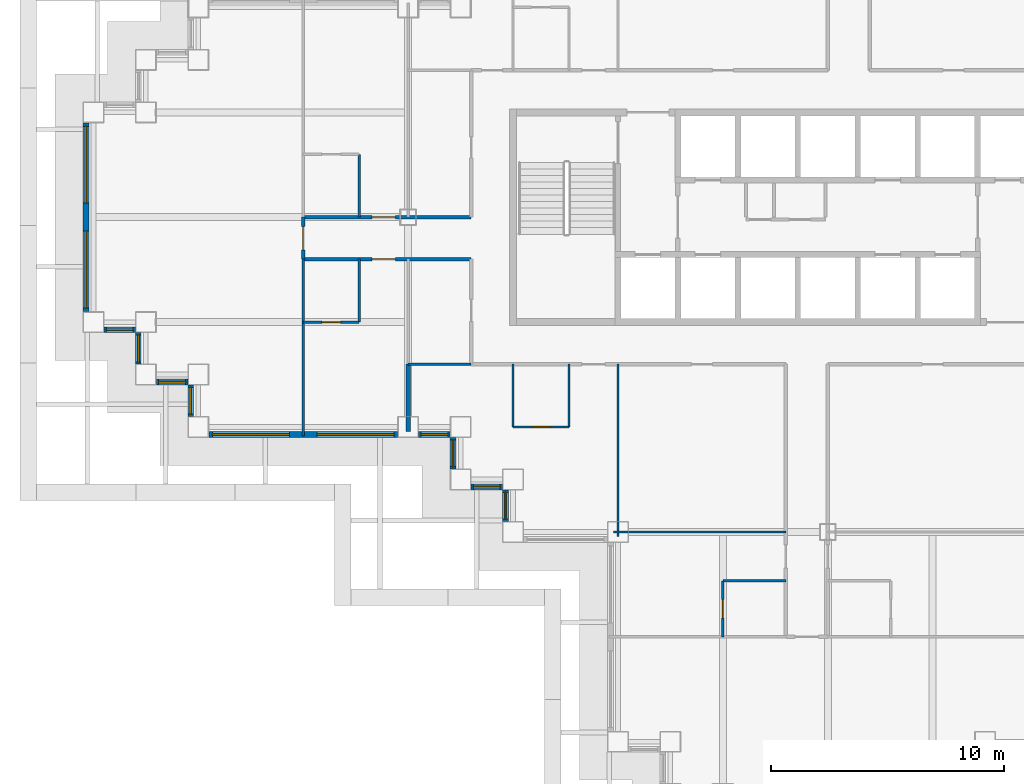
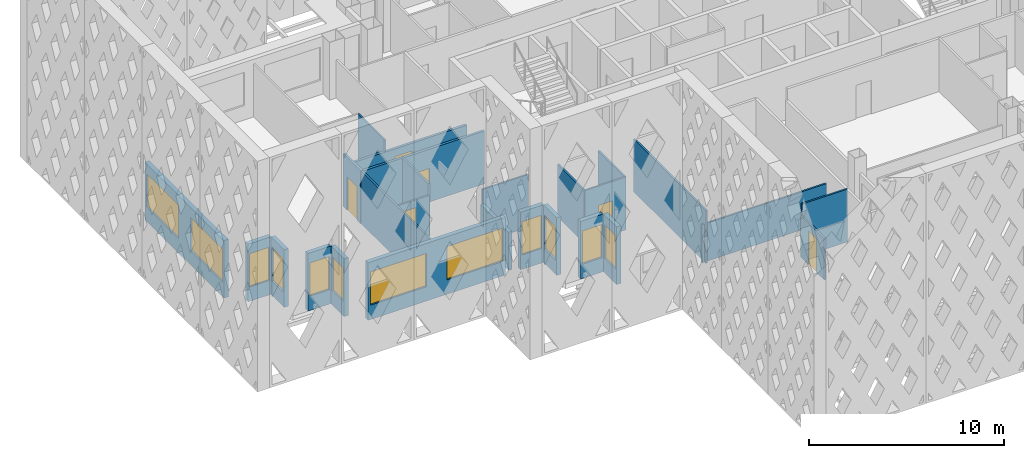
# One storey, part 3 of 21: 26 walls, 12 windows, 6 doors, 18 openings.
"""IFC4 building model written with IfcOpenShell, lengths in metres."""

from ifc_helpers import new_model, si_unit, direction, frame, frame_2d, origin, place, context, subcontext, project, spatial, rectangle, extrude, material, layer, layer_set, type_object, element, fill, save


model = new_model("IFC4")

# Units and contexts
model_context = context("Model", 3, precision=1e-05, world=origin(), true_north=direction((0.0, 1.0)))
body_context = subcontext(model_context, "Body", "Model", "MODEL_VIEW")
ifc_project = project(units=[si_unit("LENGTHUNIT", "METRE"), si_unit("AREAUNIT", "SQUARE_METRE"), si_unit("VOLUMEUNIT", "CUBIC_METRE"), si_unit("PLANEANGLEUNIT", "RADIAN"), si_unit("MASSUNIT", "GRAM", prefix="KILO")], contexts=[model_context])

# Site, building, storey
site_placement = place(None, origin())
site = spatial("IfcSite", under=ifc_project, at=site_placement, CompositionType="ELEMENT")
building_placement = place(site_placement, origin())
building = spatial("IfcBuilding", under=site, at=building_placement, Name="Caravel Reach Hotel and Residences", CompositionType="ELEMENT")
storey_placement = place(building_placement, frame((0.0, 0.0, 115.199951171875)))
storey = spatial("IfcBuildingStorey", under=building, at=storey_placement, Name="L28", CompositionType="ELEMENT", Elevation=115.199951171875)

# Wall
ifc_material_1 = material(Name="Gypsum board on steel stud", Category="steel")
ifc_layer_1 = layer(ifc_material_1, 0.10009765625)
ifc_layer_set_1 = layer_set([ifc_layer_1], Name="Bathroom pod wall 100 mm")
wall_type_1 = type_object("IfcWallType", Name="Bathroom pod wall 100 mm", PredefinedType="PARTITIONING", material=ifc_layer_set_1)
wall_1_placement = place(storey_placement, frame((27.0, 11.39990234375, 0.0), z_axis=(0.0, 0.0, 1.0), x_axis=(1.0, 0.0, 0.0)))
element("IfcWall", 1, at=wall_1_placement, inside=storey, type_object=wall_type_1, Name="L28 wall w068", PredefinedType="PARTITIONING", context=body_context, shape_type="SweptSolid", body=[
    extrude(rectangle(XDim=2.699951171875, YDim=0.10009765625, at=frame_2d((1.35009765625, 0.0))), origin(), (0.0, 0.0, 1.0), 3.300048828125),
])

# Wall, opening, door
wall_2_placement = place(storey_placement, frame((18.0, 18.0, 0.0), z_axis=(0.0, 0.0, 1.0), x_axis=(1.0, 0.0, 0.0)))
wall_2 = element("IfcWall", 2, at=wall_2_placement, inside=storey, type_object=wall_type_1, Name="L28 wall w069", PredefinedType="PARTITIONING", context=body_context, shape_type="SweptSolid", body=[
    extrude(rectangle(XDim=2.39990234375, YDim=0.10009765625, at=frame_2d((1.199951171875, 0.0))), origin(), (0.0, 0.0, 1.0), 3.300048828125),
])
opening_1_placement = place(wall_2_placement, frame((0.800048828125, 0.0, 0.0)))
opening_1 = element("IfcOpeningElement", 3, at=opening_1_placement, cuts=wall_2, Name="Opening D28-046", PredefinedType="OPENING", context=body_context, shape_type="SweptSolid", body=[
    extrude(rectangle(XDim=0.800048828125, YDim=2.10009765625, at=frame_2d((0.39990234375, 1.050048828125))), frame((0.0, 0.06005859375, 0.0), z_axis=(0.0, -1.0, 0.0), x_axis=(1.0, 0.0, 0.0)), (0.0, 0.0, 1.0), 0.1201171875),
])
ifc_material_2 = material(Name="Timber and steel door leaf", Category="steel")
door_type_1 = type_object("IfcDoorType", Name="Bathroom door 800 x 2100", OperationType="SINGLE_SWING_LEFT", PredefinedType="DOOR", material=ifc_material_2)
door_1_placement = place(opening_1_placement, origin())
door_1 = element("IfcDoor", 4, at=door_1_placement, inside=storey, type_object=door_type_1, Name="door D28-046", OperationType="SINGLE_SWING_RIGHT", OverallHeight=2.10009765625, OverallWidth=0.800048828125, PredefinedType="DOOR", context=body_context, shape_type="SweptSolid", body=[
    extrude(rectangle(XDim=0.800048828125, YDim=2.10009765625, at=frame_2d((0.39990234375, 1.050048828125))), frame((0.0, 0.02490234375, 0.0), z_axis=(0.0, -1.0, 0.0), x_axis=(1.0, 0.0, 0.0)), (0.0, 0.0, 1.0), 0.050048828125),
])
fill(opening_1, door_1)

wall_3_placement = place(storey_placement, frame((9.0, 22.5, 0.0), z_axis=(0.0, 0.0, 1.0), x_axis=(1.0, 0.0, 0.0)))
wall_3 = element("IfcWall", 5, at=wall_3_placement, inside=storey, type_object=wall_type_1, Name="L28 wall w071", PredefinedType="PARTITIONING", context=body_context, shape_type="SweptSolid", body=[
    extrude(rectangle(XDim=2.39990234375, YDim=0.10009765625, at=frame_2d((1.199951171875, 0.0))), origin(), (0.0, 0.0, 1.0), 2.580078125),
])
opening_2_placement = place(wall_3_placement, frame((0.800048828125, 0.0, 0.0)))
opening_2 = element("IfcOpeningElement", 6, at=opening_2_placement, cuts=wall_3, Name="Opening D28-017", PredefinedType="OPENING", context=body_context, shape_type="SweptSolid", body=[
    extrude(rectangle(XDim=0.800048828125, YDim=2.10009765625, at=frame_2d((0.39990234375, 1.050048828125))), frame((0.0, 0.06005859375, 0.0), z_axis=(0.0, -1.0, 0.0), x_axis=(1.0, 0.0, 0.0)), (0.0, 0.0, 1.0), 0.1201171875),
])
door_2_placement = place(opening_2_placement, origin())
door_2 = element("IfcDoor", 7, at=door_2_placement, inside=storey, type_object=door_type_1, Name="door D28-017", OperationType="SINGLE_SWING_RIGHT", OverallHeight=2.10009765625, OverallWidth=0.800048828125, PredefinedType="DOOR", context=body_context, shape_type="SweptSolid", body=[
    extrude(rectangle(XDim=0.800048828125, YDim=2.10009765625, at=frame_2d((0.39990234375, 1.050048828125))), frame((0.0, 0.02490234375, 0.0), z_axis=(0.0, -1.0, 0.0), x_axis=(1.0, 0.0, 0.0)), (0.0, 0.0, 1.0), 0.050048828125),
])
fill(opening_2, door_2)

# Walls
for number, where, z_axis, x_axis, name in (
    (8, (11.39990234375, 27.0, 0.0), (0.0, 0.0, 1.0), (0.0, 1.0, 0.0), "L28 wall w080"),
    (9, (11.39990234375, 22.5, 0.0), (0.0, 0.0, 1.0), (0.0, 1.0, 0.0), "L28 wall w081"),
    (10, (18.0, 18.0, 0.0), (0.0, 0.0, 1.0), (0.0, 1.0, 0.0), "L28 wall w082"),
    (11, (20.39990234375, 18.0, 0.0), (0.0, 0.0, 1.0), (0.0, 1.0, 0.0), "L28 wall w084"),
):
    element("IfcWall", number, at=place(storey_placement, frame(where, z_axis=z_axis, x_axis=x_axis)), inside=storey, type_object=wall_type_1, Name=name, PredefinedType="PARTITIONING", context=body_context, shape_type="SweptSolid", body=[
        extrude(rectangle(XDim=2.699951171875, YDim=0.10009765625, at=frame_2d((1.35009765625, 0.0))), origin(), (0.0, 0.0, 1.0), 3.300048828125),
    ])

# Wall, opening, door
wall_4_placement = place(storey_placement, frame((27.0, 9.0, 0.0), z_axis=(0.0, 0.0, 1.0), x_axis=(0.0, 1.0, 0.0)))
wall_4 = element("IfcWall", 12, at=wall_4_placement, inside=storey, type_object=wall_type_1, Name="L28 wall w085", PredefinedType="PARTITIONING", context=body_context, shape_type="SweptSolid", body=[
    extrude(rectangle(XDim=2.39990234375, YDim=0.10009765625, at=frame_2d((1.199951171875, 0.0))), origin(), (0.0, 0.0, 1.0), 2.580078125),
])
opening_3_placement = place(wall_4_placement, frame((0.800048828125, 0.0, 0.0)))
opening_3 = element("IfcOpeningElement", 13, at=opening_3_placement, cuts=wall_4, Name="Opening D28-032", PredefinedType="OPENING", context=body_context, shape_type="SweptSolid", body=[
    extrude(rectangle(XDim=0.800048828125, YDim=2.10009765625, at=frame_2d((0.39990234375, 1.050048828125))), frame((0.0, 0.06005859375, 0.0), z_axis=(0.0, -1.0, 0.0), x_axis=(1.0, 0.0, 0.0)), (0.0, 0.0, 1.0), 0.1201171875),
])
door_3_placement = place(opening_3_placement, origin())
door_3 = element("IfcDoor", 14, at=door_3_placement, inside=storey, type_object=door_type_1, Name="door D28-032", OperationType="SINGLE_SWING_LEFT", OverallHeight=2.10009765625, OverallWidth=0.800048828125, PredefinedType="DOOR", context=body_context, shape_type="SweptSolid", body=[
    extrude(rectangle(XDim=0.800048828125, YDim=2.10009765625, at=frame_2d((0.39990234375, 1.050048828125))), frame((0.0, 0.02490234375, 0.0), z_axis=(0.0, -1.0, 0.0), x_axis=(1.0, 0.0, 0.0)), (0.0, 0.0, 1.0), 0.050048828125),
])
fill(opening_3, door_3)

ifc_material_3 = material(Name="Gypsum board on steel stud, fire-rated", Category="steel")
ifc_layer_2 = layer(ifc_material_3, 0.14990234375)
ifc_layer_set_2 = layer_set([ifc_layer_2], Name="Corridor wall 150 mm EI 60")
wall_type_2 = type_object("IfcWallType", Name="Corridor wall 150 mm EI 60", PredefinedType="PARTITIONING", material=ifc_layer_set_2)
wall_5_placement = place(storey_placement, frame((9.0, 25.199951171875, 0.0), z_axis=(0.0, 0.0, 1.0), x_axis=(1.0, 0.0, 0.0)))
wall_5 = element("IfcWall", 15, at=wall_5_placement, inside=storey, type_object=wall_type_2, Name="L28 wall w006", PredefinedType="PARTITIONING", context=body_context, shape_type="SweptSolid", body=[
    extrude(rectangle(XDim=7.199951171875, YDim=0.14990234375, at=frame_2d((3.60009765625, 0.0))), origin(), (0.0, 0.0, 1.0), 3.300048828125),
])
opening_4_placement = place(wall_5_placement, frame((2.949951171875, 0.0, 0.0)))
opening_4 = element("IfcOpeningElement", 16, at=opening_4_placement, cuts=wall_5, Name="Opening D28-016", PredefinedType="OPENING", context=body_context, shape_type="SweptSolid", body=[
    extrude(rectangle(XDim=1.0, YDim=2.10009765625, at=frame_2d((0.5, 1.050048828125))), frame((0.0, 0.0849609375, 0.0), z_axis=(0.0, -1.0, 0.0), x_axis=(1.0, 0.0, 0.0)), (0.0, 0.0, 1.0), 0.169921875),
])
ifc_material_4 = material(Name="Steel fire door leaf", Category="steel")
door_type_2 = type_object("IfcDoorType", Name="Guest room door 1000 x 2100 EI 30", OperationType="SINGLE_SWING_LEFT", PredefinedType="DOOR", material=ifc_material_4)
door_4_placement = place(opening_4_placement, origin())
door_4 = element("IfcDoor", 17, at=door_4_placement, inside=storey, type_object=door_type_2, Name="door D28-016", OperationType="SINGLE_SWING_RIGHT", OverallHeight=2.10009765625, OverallWidth=1.0, PredefinedType="DOOR", context=body_context, shape_type="SweptSolid", body=[
    extrude(rectangle(XDim=1.0, YDim=2.10009765625, at=frame_2d((0.5, 1.050048828125))), frame((0.0, 0.02490234375, 0.0), z_axis=(0.0, -1.0, 0.0), x_axis=(1.0, 0.0, 0.0)), (0.0, 0.0, 1.0), 0.050048828125),
])
fill(opening_4, door_4)

wall_6_placement = place(storey_placement, frame((9.0, 27.0, 0.0), z_axis=(0.0, 0.0, 1.0), x_axis=(1.0, 0.0, 0.0)))
wall_6 = element("IfcWall", 18, at=wall_6_placement, inside=storey, type_object=wall_type_2, Name="L28 wall w009", PredefinedType="PARTITIONING", context=body_context, shape_type="SweptSolid", body=[
    extrude(rectangle(XDim=7.199951171875, YDim=0.14990234375, at=frame_2d((3.60009765625, 0.0))), origin(), (0.0, 0.0, 1.0), 2.580078125),
])
opening_5_placement = place(wall_6_placement, frame((2.949951171875, 0.0, 0.0)))
opening_5 = element("IfcOpeningElement", 19, at=opening_5_placement, cuts=wall_6, Name="Opening D28-018", PredefinedType="OPENING", context=body_context, shape_type="SweptSolid", body=[
    extrude(rectangle(XDim=1.0, YDim=2.10009765625, at=frame_2d((0.5, 1.050048828125))), frame((0.0, 0.0849609375, 0.0), z_axis=(0.0, -1.0, 0.0), x_axis=(1.0, 0.0, 0.0)), (0.0, 0.0, 1.0), 0.169921875),
])
door_5_placement = place(opening_5_placement, origin())
door_5 = element("IfcDoor", 20, at=door_5_placement, inside=storey, type_object=door_type_2, Name="door D28-018", OperationType="SINGLE_SWING_RIGHT", OverallHeight=2.10009765625, OverallWidth=1.0, PredefinedType="DOOR", context=body_context, shape_type="SweptSolid", body=[
    extrude(rectangle(XDim=1.0, YDim=2.10009765625, at=frame_2d((0.5, 1.050048828125))), frame((0.0, 0.02490234375, 0.0), z_axis=(0.0, -1.0, 0.0), x_axis=(1.0, 0.0, 0.0)), (0.0, 0.0, 1.0), 0.050048828125),
])
fill(opening_5, door_5)

wall_7_placement = place(storey_placement, frame((9.0, 25.199951171875, 0.0), z_axis=(0.0, 0.0, 1.0), x_axis=(0.0, 1.0, 0.0)))
wall_7 = element("IfcWall", 21, at=wall_7_placement, inside=storey, type_object=wall_type_2, Name="L28 wall w036", PredefinedType="PARTITIONING", context=body_context, shape_type="SweptSolid", body=[
    extrude(rectangle(XDim=1.800048828125, YDim=0.14990234375, at=frame_2d((0.89990234375, 0.0))), origin(), (0.0, 0.0, 1.0), 3.300048828125),
])
opening_6_placement = place(wall_7_placement, frame((0.39990234375, 0.0, 0.0)))
opening_6 = element("IfcOpeningElement", 22, at=opening_6_placement, cuts=wall_7, Name="Opening D28-035", PredefinedType="OPENING", context=body_context, shape_type="SweptSolid", body=[
    extrude(rectangle(XDim=1.0, YDim=2.10009765625, at=frame_2d((0.5, 1.050048828125))), frame((0.0, 0.0849609375, 0.0), z_axis=(0.0, -1.0, 0.0), x_axis=(1.0, 0.0, 0.0)), (0.0, 0.0, 1.0), 0.169921875),
])
door_6_placement = place(opening_6_placement, origin())
door_6 = element("IfcDoor", 23, at=door_6_placement, inside=storey, type_object=door_type_2, Name="door D28-035", OperationType="SINGLE_SWING_LEFT", OverallHeight=2.10009765625, OverallWidth=1.0, PredefinedType="DOOR", context=body_context, shape_type="SweptSolid", body=[
    extrude(rectangle(XDim=1.0, YDim=2.10009765625, at=frame_2d((0.5, 1.050048828125))), frame((0.0, 0.02490234375, 0.0), z_axis=(0.0, -1.0, 0.0), x_axis=(1.0, 0.0, 0.0)), (0.0, 0.0, 1.0), 0.050048828125),
])
fill(opening_6, door_6)

# Wall, openings, windows
ifc_material_5 = material(Name="Insulated rainscreen wall, aluminium cladding", Category="aluminium")
ifc_layer_3 = layer(ifc_material_5, 0.25)
ifc_layer_set_3 = layer_set([ifc_layer_3], Name="EW1 Tower rainscreen wall")
wall_type_3 = type_object("IfcWallType", Name="EW1 Tower rainscreen wall", PredefinedType="SOLIDWALL", material=ifc_layer_set_3)
wall_8_placement = place(storey_placement, frame((-0.324951171875, 31.050048828125, 0.0), z_axis=(0.0, 0.0, 1.0), x_axis=(0.0, -1.0, 0.0)))
wall_8 = element("IfcWall", 24, at=wall_8_placement, inside=storey, type_object=wall_type_3, Name="External wall L28 W50.1", PredefinedType="SOLIDWALL", context=body_context, shape_type="SweptSolid", body=[
    extrude(rectangle(XDim=8.10009765625, YDim=0.25, at=frame_2d((4.050048828125, 0.0))), origin(), (0.0, 0.0, 1.0), 3.60009765625),
])
opening_7_placement = place(wall_8_placement, frame((0.14990234375, 0.0, 0.89990234375)))
opening_7 = element("IfcOpeningElement", 25, at=opening_7_placement, cuts=wall_8, Name="Opening WN4", PredefinedType="OPENING", context=body_context, shape_type="SweptSolid", body=[
    extrude(rectangle(XDim=3.300048828125, YDim=2.080078125, at=frame_2d((1.64990234375, 1.0400390625))), frame((0.0, 0.135009765625, 0.0), z_axis=(0.0, -1.0, 0.0), x_axis=(1.0, 0.0, 0.0)), (0.0, 0.0, 1.0), 0.27001953125),
])
opening_8_placement = place(wall_8_placement, frame((4.64990234375, 0.0, 0.89990234375)))
opening_8 = element("IfcOpeningElement", 26, at=opening_8_placement, cuts=wall_8, Name="Opening WN4", PredefinedType="OPENING", context=body_context, shape_type="SweptSolid", body=[
    extrude(rectangle(XDim=3.300048828125, YDim=2.080078125, at=frame_2d((1.64990234375, 1.0400390625))), frame((0.0, 0.135009765625, 0.0), z_axis=(0.0, -1.0, 0.0), x_axis=(1.0, 0.0, 0.0)), (0.0, 0.0, 1.0), 0.27001953125),
])
ifc_material_6 = material(Name="Dark low-e glazing in black aluminium frame", Category="aluminium")
window_type_1 = type_object("IfcWindowType", Name="Hotel guest room window 3300 x 2080", PartitioningType="SINGLE_PANEL", PredefinedType="WINDOW", material=ifc_material_6)
window_1_placement = place(opening_7_placement, origin())
window_1 = element("IfcWindow", 27, at=window_1_placement, inside=storey, type_object=window_type_1, Name="Window L28 W50.1.1", OverallHeight=2.080078125, OverallWidth=3.300048828125, PartitioningType="SINGLE_PANEL", PredefinedType="WINDOW", context=body_context, shape_type="SweptSolid", body=[
    extrude(rectangle(XDim=3.300048828125, YDim=2.080078125, at=frame_2d((1.64990234375, 1.0400390625))), frame((0.0, 0.030029296875, 0.0), z_axis=(0.0, -1.0, 0.0), x_axis=(1.0, 0.0, 0.0)), (0.0, 0.0, 1.0), 0.06005859375),
])
fill(opening_7, window_1)
window_2_placement = place(opening_8_placement, origin())
window_2 = element("IfcWindow", 28, at=window_2_placement, inside=storey, type_object=window_type_1, Name="Window L28 W50.1.2", OverallHeight=2.080078125, OverallWidth=3.300048828125, PartitioningType="SINGLE_PANEL", PredefinedType="WINDOW", context=body_context, shape_type="SweptSolid", body=[
    extrude(rectangle(XDim=3.300048828125, YDim=2.080078125, at=frame_2d((1.64990234375, 1.0400390625))), frame((0.0, 0.030029296875, 0.0), z_axis=(0.0, -1.0, 0.0), x_axis=(1.0, 0.0, 0.0)), (0.0, 0.0, 1.0), 0.06005859375),
])
fill(opening_8, window_2)

# Wall, opening, window
wall_9_placement = place(storey_placement, frame((0.449951171875, 22.175048828125, 0.0), z_axis=(0.0, 0.0, 1.0), x_axis=(1.0, 0.0, 0.0)))
wall_9 = element("IfcWall", 29, at=wall_9_placement, inside=storey, type_object=wall_type_3, Name="External wall L28 S51.1", PredefinedType="SOLIDWALL", context=body_context, shape_type="SweptSolid", body=[
    extrude(rectangle(XDim=1.35009765625, YDim=0.25, at=frame_2d((0.675048828125, 0.0))), origin(), (0.0, 0.0, 1.0), 3.60009765625),
])
opening_9_placement = place(wall_9_placement, frame((0.10009765625, 0.0, 0.89990234375)))
opening_9 = element("IfcOpeningElement", 30, at=opening_9_placement, cuts=wall_9, Name="Opening WN8", PredefinedType="OPENING", context=body_context, shape_type="SweptSolid", body=[
    extrude(rectangle(XDim=1.14990234375, YDim=2.080078125, at=frame_2d((0.574951171875, 1.0400390625))), frame((0.0, 0.135009765625, 0.0), z_axis=(0.0, -1.0, 0.0), x_axis=(1.0, 0.0, 0.0)), (0.0, 0.0, 1.0), 0.27001953125),
])
ifc_material_7 = material(Name="Dark low-e glazing in black aluminium frame", Category="aluminium")
window_type_2 = type_object("IfcWindowType", Name="Hotel suite corner window 1150 x 2080", PartitioningType="SINGLE_PANEL", PredefinedType="WINDOW", material=ifc_material_7)
window_3_placement = place(opening_9_placement, origin())
window_3 = element("IfcWindow", 31, at=window_3_placement, inside=storey, type_object=window_type_2, Name="Window L28 S51.1.1", OverallHeight=2.080078125, OverallWidth=1.14990234375, PartitioningType="SINGLE_PANEL", PredefinedType="WINDOW", context=body_context, shape_type="SweptSolid", body=[
    extrude(rectangle(XDim=1.14990234375, YDim=2.080078125, at=frame_2d((0.574951171875, 1.0400390625))), frame((0.0, 0.030029296875, 0.0), z_axis=(0.0, -1.0, 0.0), x_axis=(1.0, 0.0, 0.0)), (0.0, 0.0, 1.0), 0.06005859375),
])
fill(opening_9, window_3)

wall_10_placement = place(storey_placement, frame((1.925048828125, 22.050048828125, 0.0), z_axis=(0.0, 0.0, 1.0), x_axis=(0.0, -1.0, 0.0)))
wall_10 = element("IfcWall", 32, at=wall_10_placement, inside=storey, type_object=wall_type_3, Name="External wall L28 W52.1", PredefinedType="SOLIDWALL", context=body_context, shape_type="SweptSolid", body=[
    extrude(rectangle(XDim=1.35009765625, YDim=0.25, at=frame_2d((0.675048828125, 0.0))), origin(), (0.0, 0.0, 1.0), 3.60009765625),
])
opening_10_placement = place(wall_10_placement, frame((0.10009765625, 0.0, 0.89990234375)))
opening_10 = element("IfcOpeningElement", 33, at=opening_10_placement, cuts=wall_10, Name="Opening WN8", PredefinedType="OPENING", context=body_context, shape_type="SweptSolid", body=[
    extrude(rectangle(XDim=1.14990234375, YDim=2.080078125, at=frame_2d((0.574951171875, 1.0400390625))), frame((0.0, 0.135009765625, 0.0), z_axis=(0.0, -1.0, 0.0), x_axis=(1.0, 0.0, 0.0)), (0.0, 0.0, 1.0), 0.27001953125),
])
window_4_placement = place(opening_10_placement, origin())
window_4 = element("IfcWindow", 34, at=window_4_placement, inside=storey, type_object=window_type_2, Name="Window L28 W52.1.1", OverallHeight=2.080078125, OverallWidth=1.14990234375, PartitioningType="SINGLE_PANEL", PredefinedType="WINDOW", context=body_context, shape_type="SweptSolid", body=[
    extrude(rectangle(XDim=1.14990234375, YDim=2.080078125, at=frame_2d((0.574951171875, 1.0400390625))), frame((0.0, 0.030029296875, 0.0), z_axis=(0.0, -1.0, 0.0), x_axis=(1.0, 0.0, 0.0)), (0.0, 0.0, 1.0), 0.06005859375),
])
fill(opening_10, window_4)

wall_11_placement = place(storey_placement, frame((2.699951171875, 19.925048828125, 0.0), z_axis=(0.0, 0.0, 1.0), x_axis=(1.0, 0.0, 0.0)))
wall_11 = element("IfcWall", 35, at=wall_11_placement, inside=storey, type_object=wall_type_3, Name="External wall L28 S53.1", PredefinedType="SOLIDWALL", context=body_context, shape_type="SweptSolid", body=[
    extrude(rectangle(XDim=1.35009765625, YDim=0.25, at=frame_2d((0.675048828125, 0.0))), origin(), (0.0, 0.0, 1.0), 3.60009765625),
])
opening_11_placement = place(wall_11_placement, frame((0.10009765625, 0.0, 0.89990234375)))
opening_11 = element("IfcOpeningElement", 36, at=opening_11_placement, cuts=wall_11, Name="Opening WN8", PredefinedType="OPENING", context=body_context, shape_type="SweptSolid", body=[
    extrude(rectangle(XDim=1.14990234375, YDim=2.080078125, at=frame_2d((0.574951171875, 1.0400390625))), frame((0.0, 0.135009765625, 0.0), z_axis=(0.0, -1.0, 0.0), x_axis=(1.0, 0.0, 0.0)), (0.0, 0.0, 1.0), 0.27001953125),
])
window_5_placement = place(opening_11_placement, origin())
window_5 = element("IfcWindow", 37, at=window_5_placement, inside=storey, type_object=window_type_2, Name="Window L28 S53.1.1", OverallHeight=2.080078125, OverallWidth=1.14990234375, PartitioningType="SINGLE_PANEL", PredefinedType="WINDOW", context=body_context, shape_type="SweptSolid", body=[
    extrude(rectangle(XDim=1.14990234375, YDim=2.080078125, at=frame_2d((0.574951171875, 1.0400390625))), frame((0.0, 0.030029296875, 0.0), z_axis=(0.0, -1.0, 0.0), x_axis=(1.0, 0.0, 0.0)), (0.0, 0.0, 1.0), 0.06005859375),
])
fill(opening_11, window_5)

wall_12_placement = place(storey_placement, frame((4.175048828125, 19.800048828125, 0.0), z_axis=(0.0, 0.0, 1.0), x_axis=(0.0, -1.0, 0.0)))
wall_12 = element("IfcWall", 38, at=wall_12_placement, inside=storey, type_object=wall_type_3, Name="External wall L28 W54.1", PredefinedType="SOLIDWALL", context=body_context, shape_type="SweptSolid", body=[
    extrude(rectangle(XDim=1.35009765625, YDim=0.25, at=frame_2d((0.675048828125, 0.0))), origin(), (0.0, 0.0, 1.0), 3.60009765625),
])
opening_12_placement = place(wall_12_placement, frame((0.10009765625, 0.0, 0.89990234375)))
opening_12 = element("IfcOpeningElement", 39, at=opening_12_placement, cuts=wall_12, Name="Opening WN8", PredefinedType="OPENING", context=body_context, shape_type="SweptSolid", body=[
    extrude(rectangle(XDim=1.14990234375, YDim=2.080078125, at=frame_2d((0.574951171875, 1.0400390625))), frame((0.0, 0.135009765625, 0.0), z_axis=(0.0, -1.0, 0.0), x_axis=(1.0, 0.0, 0.0)), (0.0, 0.0, 1.0), 0.27001953125),
])
window_6_placement = place(opening_12_placement, origin())
window_6 = element("IfcWindow", 40, at=window_6_placement, inside=storey, type_object=window_type_2, Name="Window L28 W54.1.1", OverallHeight=2.080078125, OverallWidth=1.14990234375, PartitioningType="SINGLE_PANEL", PredefinedType="WINDOW", context=body_context, shape_type="SweptSolid", body=[
    extrude(rectangle(XDim=1.14990234375, YDim=2.080078125, at=frame_2d((0.574951171875, 1.0400390625))), frame((0.0, 0.030029296875, 0.0), z_axis=(0.0, -1.0, 0.0), x_axis=(1.0, 0.0, 0.0)), (0.0, 0.0, 1.0), 0.06005859375),
])
fill(opening_12, window_6)

# Wall, openings, windows
wall_13_placement = place(storey_placement, frame((4.949951171875, 17.675048828125, 0.0), z_axis=(0.0, 0.0, 1.0), x_axis=(1.0, 0.0, 0.0)))
wall_13 = element("IfcWall", 41, at=wall_13_placement, inside=storey, type_object=wall_type_3, Name="External wall L28 S55.1", PredefinedType="SOLIDWALL", context=body_context, shape_type="SweptSolid", body=[
    extrude(rectangle(XDim=8.10009765625, YDim=0.25, at=frame_2d((4.050048828125, 0.0))), origin(), (0.0, 0.0, 1.0), 3.60009765625),
])
opening_13_placement = place(wall_13_placement, frame((0.14990234375, 0.0, 0.89990234375)))
opening_13 = element("IfcOpeningElement", 42, at=opening_13_placement, cuts=wall_13, Name="Opening WN4", PredefinedType="OPENING", context=body_context, shape_type="SweptSolid", body=[
    extrude(rectangle(XDim=3.300048828125, YDim=2.080078125, at=frame_2d((1.64990234375, 1.0400390625))), frame((0.0, 0.135009765625, 0.0), z_axis=(0.0, -1.0, 0.0), x_axis=(1.0, 0.0, 0.0)), (0.0, 0.0, 1.0), 0.27001953125),
])
opening_14_placement = place(wall_13_placement, frame((4.64990234375, 0.0, 0.89990234375)))
opening_14 = element("IfcOpeningElement", 43, at=opening_14_placement, cuts=wall_13, Name="Opening WN4", PredefinedType="OPENING", context=body_context, shape_type="SweptSolid", body=[
    extrude(rectangle(XDim=3.300048828125, YDim=2.080078125, at=frame_2d((1.64990234375, 1.0400390625))), frame((0.0, 0.135009765625, 0.0), z_axis=(0.0, -1.0, 0.0), x_axis=(1.0, 0.0, 0.0)), (0.0, 0.0, 1.0), 0.27001953125),
])
window_7_placement = place(opening_13_placement, origin())
window_7 = element("IfcWindow", 44, at=window_7_placement, inside=storey, type_object=window_type_1, Name="Window L28 S55.1.1", OverallHeight=2.080078125, OverallWidth=3.300048828125, PartitioningType="SINGLE_PANEL", PredefinedType="WINDOW", context=body_context, shape_type="SweptSolid", body=[
    extrude(rectangle(XDim=3.300048828125, YDim=2.080078125, at=frame_2d((1.64990234375, 1.0400390625))), frame((0.0, 0.030029296875, 0.0), z_axis=(0.0, -1.0, 0.0), x_axis=(1.0, 0.0, 0.0)), (0.0, 0.0, 1.0), 0.06005859375),
])
fill(opening_13, window_7)
window_8_placement = place(opening_14_placement, origin())
window_8 = element("IfcWindow", 45, at=window_8_placement, inside=storey, type_object=window_type_1, Name="Window L28 S55.1.2", OverallHeight=2.080078125, OverallWidth=3.300048828125, PartitioningType="SINGLE_PANEL", PredefinedType="WINDOW", context=body_context, shape_type="SweptSolid", body=[
    extrude(rectangle(XDim=3.300048828125, YDim=2.080078125, at=frame_2d((1.64990234375, 1.0400390625))), frame((0.0, 0.030029296875, 0.0), z_axis=(0.0, -1.0, 0.0), x_axis=(1.0, 0.0, 0.0)), (0.0, 0.0, 1.0), 0.06005859375),
])
fill(opening_14, window_8)

# Wall, opening, window
wall_14_placement = place(storey_placement, frame((13.949951171875, 17.675048828125, 0.0), z_axis=(0.0, 0.0, 1.0), x_axis=(1.0, 0.0, 0.0)))
wall_14 = element("IfcWall", 46, at=wall_14_placement, inside=storey, type_object=wall_type_3, Name="External wall L28 S55.2", PredefinedType="SOLIDWALL", context=body_context, shape_type="SweptSolid", body=[
    extrude(rectangle(XDim=1.35009765625, YDim=0.25, at=frame_2d((0.675048828125, 0.0))), origin(), (0.0, 0.0, 1.0), 3.60009765625),
])
opening_15_placement = place(wall_14_placement, frame((0.10009765625, 0.0, 0.89990234375)))
opening_15 = element("IfcOpeningElement", 47, at=opening_15_placement, cuts=wall_14, Name="Opening WN8", PredefinedType="OPENING", context=body_context, shape_type="SweptSolid", body=[
    extrude(rectangle(XDim=1.14990234375, YDim=2.080078125, at=frame_2d((0.574951171875, 1.0400390625))), frame((0.0, 0.135009765625, 0.0), z_axis=(0.0, -1.0, 0.0), x_axis=(1.0, 0.0, 0.0)), (0.0, 0.0, 1.0), 0.27001953125),
])
window_9_placement = place(opening_15_placement, origin())
window_9 = element("IfcWindow", 48, at=window_9_placement, inside=storey, type_object=window_type_2, Name="Window L28 S55.2.1", OverallHeight=2.080078125, OverallWidth=1.14990234375, PartitioningType="SINGLE_PANEL", PredefinedType="WINDOW", context=body_context, shape_type="SweptSolid", body=[
    extrude(rectangle(XDim=1.14990234375, YDim=2.080078125, at=frame_2d((0.574951171875, 1.0400390625))), frame((0.0, 0.030029296875, 0.0), z_axis=(0.0, -1.0, 0.0), x_axis=(1.0, 0.0, 0.0)), (0.0, 0.0, 1.0), 0.06005859375),
])
fill(opening_15, window_9)

wall_15_placement = place(storey_placement, frame((15.425048828125, 17.550048828125, 0.0), z_axis=(0.0, 0.0, 1.0), x_axis=(0.0, -1.0, 0.0)))
wall_15 = element("IfcWall", 49, at=wall_15_placement, inside=storey, type_object=wall_type_3, Name="External wall L28 W56.1", PredefinedType="SOLIDWALL", context=body_context, shape_type="SweptSolid", body=[
    extrude(rectangle(XDim=1.35009765625, YDim=0.25, at=frame_2d((0.675048828125, 0.0))), origin(), (0.0, 0.0, 1.0), 3.60009765625),
])
opening_16_placement = place(wall_15_placement, frame((0.10009765625, 0.0, 0.89990234375)))
opening_16 = element("IfcOpeningElement", 50, at=opening_16_placement, cuts=wall_15, Name="Opening WN8", PredefinedType="OPENING", context=body_context, shape_type="SweptSolid", body=[
    extrude(rectangle(XDim=1.14990234375, YDim=2.080078125, at=frame_2d((0.574951171875, 1.0400390625))), frame((0.0, 0.135009765625, 0.0), z_axis=(0.0, -1.0, 0.0), x_axis=(1.0, 0.0, 0.0)), (0.0, 0.0, 1.0), 0.27001953125),
])
window_10_placement = place(opening_16_placement, origin())
window_10 = element("IfcWindow", 51, at=window_10_placement, inside=storey, type_object=window_type_2, Name="Window L28 W56.1.1", OverallHeight=2.080078125, OverallWidth=1.14990234375, PartitioningType="SINGLE_PANEL", PredefinedType="WINDOW", context=body_context, shape_type="SweptSolid", body=[
    extrude(rectangle(XDim=1.14990234375, YDim=2.080078125, at=frame_2d((0.574951171875, 1.0400390625))), frame((0.0, 0.030029296875, 0.0), z_axis=(0.0, -1.0, 0.0), x_axis=(1.0, 0.0, 0.0)), (0.0, 0.0, 1.0), 0.06005859375),
])
fill(opening_16, window_10)

wall_16_placement = place(storey_placement, frame((16.199951171875, 15.425048828125, 0.0), z_axis=(0.0, 0.0, 1.0), x_axis=(1.0, 0.0, 0.0)))
wall_16 = element("IfcWall", 52, at=wall_16_placement, inside=storey, type_object=wall_type_3, Name="External wall L28 S57.1", PredefinedType="SOLIDWALL", context=body_context, shape_type="SweptSolid", body=[
    extrude(rectangle(XDim=1.35009765625, YDim=0.25, at=frame_2d((0.675048828125, 0.0))), origin(), (0.0, 0.0, 1.0), 3.60009765625),
])
opening_17_placement = place(wall_16_placement, frame((0.10009765625, 0.0, 0.89990234375)))
opening_17 = element("IfcOpeningElement", 53, at=opening_17_placement, cuts=wall_16, Name="Opening WN8", PredefinedType="OPENING", context=body_context, shape_type="SweptSolid", body=[
    extrude(rectangle(XDim=1.14990234375, YDim=2.080078125, at=frame_2d((0.574951171875, 1.0400390625))), frame((0.0, 0.135009765625, 0.0), z_axis=(0.0, -1.0, 0.0), x_axis=(1.0, 0.0, 0.0)), (0.0, 0.0, 1.0), 0.27001953125),
])
window_11_placement = place(opening_17_placement, origin())
window_11 = element("IfcWindow", 54, at=window_11_placement, inside=storey, type_object=window_type_2, Name="Window L28 S57.1.1", OverallHeight=2.080078125, OverallWidth=1.14990234375, PartitioningType="SINGLE_PANEL", PredefinedType="WINDOW", context=body_context, shape_type="SweptSolid", body=[
    extrude(rectangle(XDim=1.14990234375, YDim=2.080078125, at=frame_2d((0.574951171875, 1.0400390625))), frame((0.0, 0.030029296875, 0.0), z_axis=(0.0, -1.0, 0.0), x_axis=(1.0, 0.0, 0.0)), (0.0, 0.0, 1.0), 0.06005859375),
])
fill(opening_17, window_11)

wall_17_placement = place(storey_placement, frame((17.675048828125, 15.300048828125, 0.0), z_axis=(0.0, 0.0, 1.0), x_axis=(0.0, -1.0, 0.0)))
wall_17 = element("IfcWall", 55, at=wall_17_placement, inside=storey, type_object=wall_type_3, Name="External wall L28 W58.1", PredefinedType="SOLIDWALL", context=body_context, shape_type="SweptSolid", body=[
    extrude(rectangle(XDim=1.35009765625, YDim=0.25, at=frame_2d((0.675048828125, 0.0))), origin(), (0.0, 0.0, 1.0), 3.60009765625),
])
opening_18_placement = place(wall_17_placement, frame((0.10009765625, 0.0, 0.89990234375)))
opening_18 = element("IfcOpeningElement", 56, at=opening_18_placement, cuts=wall_17, Name="Opening WN8", PredefinedType="OPENING", context=body_context, shape_type="SweptSolid", body=[
    extrude(rectangle(XDim=1.14990234375, YDim=2.080078125, at=frame_2d((0.574951171875, 1.0400390625))), frame((0.0, 0.135009765625, 0.0), z_axis=(0.0, -1.0, 0.0), x_axis=(1.0, 0.0, 0.0)), (0.0, 0.0, 1.0), 0.27001953125),
])
window_12_placement = place(opening_18_placement, origin())
window_12 = element("IfcWindow", 57, at=window_12_placement, inside=storey, type_object=window_type_2, Name="Window L28 W58.1.1", OverallHeight=2.080078125, OverallWidth=1.14990234375, PartitioningType="SINGLE_PANEL", PredefinedType="WINDOW", context=body_context, shape_type="SweptSolid", body=[
    extrude(rectangle(XDim=1.14990234375, YDim=2.080078125, at=frame_2d((0.574951171875, 1.0400390625))), frame((0.0, 0.030029296875, 0.0), z_axis=(0.0, -1.0, 0.0), x_axis=(1.0, 0.0, 0.0)), (0.0, 0.0, 1.0), 0.06005859375),
])
fill(opening_18, window_12)

# Walls
ifc_material_8 = material(Name="Gypsum board on steel stud", Category="steel")
ifc_layer_4 = layer(ifc_material_8, 0.10009765625)
ifc_layer_set_4 = layer_set([ifc_layer_4], Name="Partition 100 mm")
wall_type_4 = type_object("IfcWallType", Name="Partition 100 mm", PredefinedType="PARTITIONING", material=ifc_layer_set_4)
wall_18_placement = place(storey_placement, frame((22.31005859375, 13.5, 0.0), z_axis=(0.0, 0.0, 1.0), x_axis=(1.0, 0.0, 0.0)))
element("IfcWall", 58, at=wall_18_placement, inside=storey, type_object=wall_type_4, Name="L28 wall w038", PredefinedType="PARTITIONING", context=body_context, shape_type="SweptSolid", body=[
    extrude(rectangle(XDim=7.389892578125, YDim=0.10009765625, at=frame_2d((3.69482421875, 0.0))), origin(), (0.0, 0.0, 1.0), 2.380126953125),
])
wall_19_placement = place(storey_placement, frame((13.5, 20.699951171875, 0.0), z_axis=(0.0, 0.0, 1.0), x_axis=(1.0, 0.0, 0.0)))
element("IfcWall", 59, at=wall_19_placement, inside=storey, type_object=wall_type_4, Name="L28 wall w039", PredefinedType="PARTITIONING", context=body_context, shape_type="SweptSolid", body=[
    extrude(rectangle(XDim=2.699951171875, YDim=0.10009765625, at=frame_2d((1.35009765625, 0.0))), origin(), (0.0, 0.0, 1.0), 3.300048828125),
])
wall_20_placement = place(storey_placement, frame((22.5, 13.31005859375, 0.0), z_axis=(0.0, 0.0, 1.0), x_axis=(0.0, 1.0, 0.0)))
element("IfcWall", 60, at=wall_20_placement, inside=storey, type_object=wall_type_4, Name="L28 wall w054", PredefinedType="PARTITIONING", context=body_context, shape_type="SweptSolid", body=[
    extrude(rectangle(XDim=7.389892578125, YDim=0.10009765625, at=frame_2d((3.69482421875, 0.0))), origin(), (0.0, 0.0, 1.0), 3.300048828125),
])
wall_21_placement = place(storey_placement, frame((9.0, 17.610107421875, 0.0), z_axis=(0.0, 0.0, 1.0), x_axis=(0.0, 1.0, 0.0)))
element("IfcWall", 61, at=wall_21_placement, inside=storey, type_object=wall_type_4, Name="L28 wall w064", PredefinedType="PARTITIONING", context=body_context, shape_type="SweptSolid", body=[
    extrude(rectangle(XDim=7.58984375, YDim=0.10009765625, at=frame_2d((3.794921875, 0.0))), origin(), (0.0, 0.0, 1.0), 3.300048828125),
])
ifc_material_9 = material(Name="Autoclaved aerated block wall")
ifc_layer_5 = layer(ifc_material_9, 0.199951171875)
ifc_layer_set_5 = layer_set([ifc_layer_5], Name="Party wall 200 mm EI 60")
wall_type_5 = type_object("IfcWallType", Name="Party wall 200 mm EI 60", PredefinedType="PARTITIONING", material=ifc_layer_set_5)
wall_22_placement = place(storey_placement, frame((13.5, 17.81005859375, 0.0), z_axis=(0.0, 0.0, 1.0), x_axis=(0.0, 1.0, 0.0)))
element("IfcWall", 62, at=wall_22_placement, inside=storey, type_object=wall_type_5, Name="L28 wall w066", PredefinedType="PARTITIONING", context=body_context, shape_type="SweptSolid", body=[
    extrude(rectangle(XDim=2.889892578125, YDim=0.199951171875, at=frame_2d((1.44482421875, 0.0))), origin(), (0.0, 0.0, 1.0), 2.380126953125),
])

save(model, "model.ifc")
